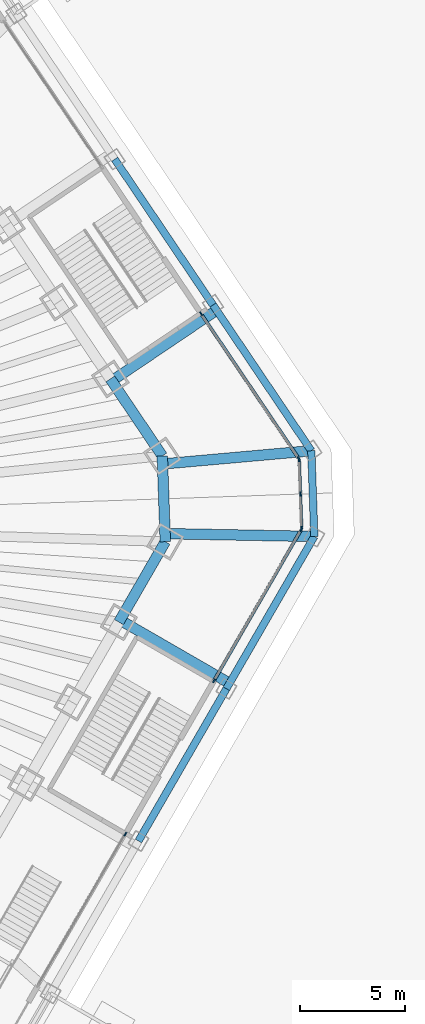
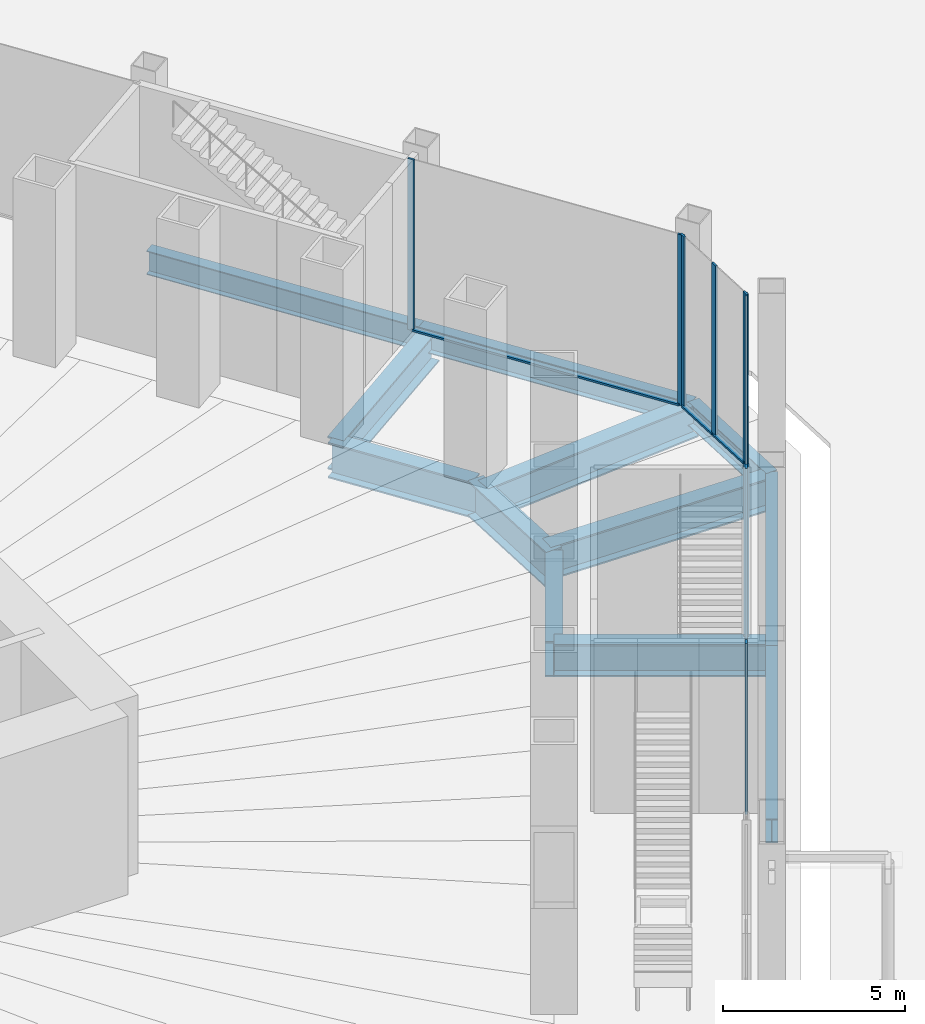
# One storey, part 21 of 45: 12 beams, 12 members, 4 elements without a shape of their own.
"""IFC4 building model written with IfcOpenShell, lengths in metres."""

from ifc_helpers import new_model, si_unit, direction, frame, origin, origin_2d, place, context, subcontext, project, spatial, rectangle, i_section, extrude, material, material_profile, profile_set, type_object, element, aggregate, save


model = new_model("IFC4")

# Units and contexts
model_context = context("Model", 3, precision=1e-05, world=origin(), true_north=direction((0.0, 1.0)))
body_context = subcontext(model_context, "Body", "Model", "MODEL_VIEW")
ifc_project = project(units=[si_unit("LENGTHUNIT", "METRE"), si_unit("AREAUNIT", "SQUARE_METRE"), si_unit("VOLUMEUNIT", "CUBIC_METRE"), si_unit("PLANEANGLEUNIT", "RADIAN"), si_unit("MASSUNIT", "GRAM", prefix="KILO")], contexts=[model_context])

# Site, building, storey
site_placement = place(None, origin())
site = spatial("IfcSite", under=ifc_project, at=site_placement, CompositionType="ELEMENT")
building_placement = place(site_placement, origin())
building = spatial("IfcBuilding", under=site, at=building_placement, Name="Qingtian Harvest Tower", CompositionType="ELEMENT")
storey_placement = place(building_placement, origin())
storey = spatial("IfcBuildingStorey", under=building, at=storey_placement, Name="L00", CompositionType="ELEMENT", Elevation=0.0)

# Beams
ifc_material_1 = material(Name="Steel SM570MC", Category="steel")
ifc_material_profile_1 = material_profile(ifc_material_1, i_section(OverallWidth=0.5, OverallDepth=1.10009765625, WebThickness=0.02490234375, FlangeThickness=0.050048828125, at=origin_2d()), Name="H1100x500x25x50")
ifc_profile_set_1 = profile_set([ifc_material_profile_1], Name="Steel SM570MC")
beam_type_1 = type_object("IfcBeamType", Name="Floor beam FB6 H1100x500x25x50", PredefinedType="BEAM", material=ifc_profile_set_1)
beam_1_placement = place(storey_placement, frame((33.05029296875, 10.0146484375, -0.800048828125), z_axis=(-0.829039666934, -0.559189798414, 0.0), x_axis=(0.559189798414, -0.829039666934, 0.0)))
element("IfcBeam", 1, at=beam_1_placement, inside=storey, type_object=beam_type_1, Name="Podium floor beam FB6 NE3", PredefinedType="BEAM", context=body_context, shape_type="SweptSolid", body=[
    extrude(i_section(OverallWidth=0.5, OverallDepth=1.10009765625, WebThickness=0.02490234375, FlangeThickness=0.050048828125, at=origin_2d()), origin(), (0.0, 0.0, 1.0), 6.000244140625),
])
for number, where, z_axis, x_axis, name in (
    (2, (37.547119140625, 3.34765625, -0.800048828125), (-0.996049850269, -0.088795809463, 0.0), (0.088795809463, -0.996049850269, 0.0), "Podium floor beam FB6 NE4"),
    (3, (37.689208984375, -0.720458984375, -0.800048828125), (-0.999817134486, 0.019123221203, 0.0), (-0.019123221203, -0.999817134486, 0.0), "Podium floor beam FB6 SE0"),
):
    element("IfcBeam", number, at=place(storey_placement, frame(where, z_axis=z_axis, x_axis=x_axis)), inside=storey, type_object=beam_type_1, Name=name, PredefinedType="BEAM", context=body_context, shape_type="SweptSolid", body=[
        extrude(i_section(OverallWidth=0.5, OverallDepth=1.10009765625, WebThickness=0.02490234375, FlangeThickness=0.050048828125, at=origin_2d()), origin(), (0.0, 0.0, 1.0), 7.08544921875),
    ])
beam_2_placement = place(storey_placement, frame((33.668212890625, -7.684814453125, -0.800048828125), z_axis=(-0.866020924479, 0.500007758305, 0.0), x_axis=(-0.500007758305, -0.866020924479, 0.0)))
element("IfcBeam", 4, at=beam_2_placement, inside=storey, type_object=beam_type_1, Name="Podium floor beam FB6 SE1", PredefinedType="BEAM", context=body_context, shape_type="SweptSolid", body=[
    extrude(i_section(OverallWidth=0.5, OverallDepth=1.10009765625, WebThickness=0.02490234375, FlangeThickness=0.050048828125, at=origin_2d()), origin(), (0.0, 0.0, 1.0), 6.0),
])

# Curtain wall, members
ifc_material_2 = material(Name="Bronze-anodised aluminium curtain wall", Category="aluminium")
curtain_wall_type = type_object("IfcCurtainWallType", Name="Curtain wall CW1 podium shopfront", PredefinedType="USERDEFINED", material=ifc_material_2)
curtain_wall_1_placement = place(storey_placement, origin())
curtain_wall_1 = element("IfcCurtainWall", 5, at=curtain_wall_1_placement, inside=storey, type_object=curtain_wall_type, Name="Curtain wall CW1 L00 NE3", ObjectType="RECESSED CURTAIN WALL", PredefinedType="USERDEFINED")
ifc_material_3 = material(Name="Bronze-anodised aluminium mullion", Category="aluminium")
ifc_material_profile_2 = material_profile(ifc_material_3, rectangle(XDim=0.06494140625, YDim=0.199951171875, at=origin_2d()), Name="AL 65x200")
ifc_profile_set_2 = profile_set([ifc_material_profile_2], Name="Bronze-anodised aluminium mullion")
member_type_1 = type_object("IfcMemberType", Name="Mullion CWM 65x200", PredefinedType="MULLION", material=ifc_profile_set_2)
member_1_placement = place(storey_placement, frame((32.3203125, 9.844970703125, 0.0), z_axis=(0.0, 0.0, 1.0), x_axis=(0.829037572555, 0.559192903471, 0.0)))
member_1 = element("IfcMember", 6, at=member_1_placement, type_object=member_type_1, Name="CW1 mullion 1", PredefinedType="MULLION", context=body_context, shape_type="SweptSolid", body=[
    extrude(rectangle(XDim=0.06494140625, YDim=0.199951171875, at=origin_2d()), origin(), (0.0, 0.0, 1.0), 5.75),
])
member_2_placement = place(storey_placement, frame((36.94873046875, 2.983154296875, 0.0), z_axis=(0.0, 0.0, 1.0), x_axis=(0.829037572555, 0.559192903471, 0.0)))
member_2 = element("IfcMember", 7, at=member_2_placement, type_object=member_type_1, Name="CW1 mullion 2", PredefinedType="MULLION", context=body_context, shape_type="SweptSolid", body=[
    extrude(rectangle(XDim=0.06494140625, YDim=0.199951171875, at=origin_2d()), origin(), (0.0, 0.0, 1.0), 5.75),
])

curtain_wall_2_placement = place(storey_placement, origin())
curtain_wall_2 = element("IfcCurtainWall", 8, at=curtain_wall_2_placement, inside=storey, type_object=curtain_wall_type, Name="Curtain wall CW1 L00 NEC", ObjectType="RECESSED CURTAIN WALL", PredefinedType="USERDEFINED")
member_3_placement = place(storey_placement, frame((36.968017578125, 2.923828125, 0.0), z_axis=(0.0, 0.0, 1.0), x_axis=(0.999390827019, 0.034899496703, 0.0)))
member_3 = element("IfcMember", 9, at=member_3_placement, type_object=member_type_1, Name="CW1 mullion 1", PredefinedType="MULLION", context=body_context, shape_type="SweptSolid", body=[
    extrude(rectangle(XDim=0.06494140625, YDim=0.199951171875, at=origin_2d()), origin(), (0.0, 0.0, 1.0), 5.75),
])
member_4_placement = place(storey_placement, frame((37.02490234375, 1.29296875, 0.0), z_axis=(0.0, 0.0, 1.0), x_axis=(0.999390827019, 0.034899496703, 0.0)))
member_4 = element("IfcMember", 10, at=member_4_placement, type_object=member_type_1, Name="CW1 mullion 2", PredefinedType="MULLION", context=body_context, shape_type="SweptSolid", body=[
    extrude(rectangle(XDim=0.06494140625, YDim=0.199951171875, at=origin_2d()), origin(), (0.0, 0.0, 1.0), 5.75),
])
member_5_placement = place(storey_placement, frame((37.081787109375, -0.337890625, 0.0), z_axis=(0.0, 0.0, 1.0), x_axis=(0.999390827019, 0.034899496703, 0.0)))
member_5 = element("IfcMember", 11, at=member_5_placement, type_object=member_type_1, Name="CW1 mullion 3", PredefinedType="MULLION", context=body_context, shape_type="SweptSolid", body=[
    extrude(rectangle(XDim=0.06494140625, YDim=0.199951171875, at=origin_2d()), origin(), (0.0, 0.0, 1.0), 5.75),
])

curtain_wall_3_placement = place(storey_placement, origin())
curtain_wall_3 = element("IfcCurtainWall", 12, at=curtain_wall_3_placement, inside=storey, type_object=curtain_wall_type, Name="Curtain wall CW1 L00 SE0", ObjectType="RECESSED CURTAIN WALL", PredefinedType="USERDEFINED")
member_6_placement = place(storey_placement, frame((37.066650390625, -0.398681640625, 0.0), z_axis=(0.0, 0.0, 1.0), x_axis=(0.866025403784, -0.5, 0.0)))
member_6 = element("IfcMember", 13, at=member_6_placement, type_object=member_type_1, Name="CW1 mullion 1", PredefinedType="MULLION", context=body_context, shape_type="SweptSolid", body=[
    extrude(rectangle(XDim=0.06494140625, YDim=0.199951171875, at=origin_2d()), origin(), (0.0, 0.0, 1.0), 5.75),
])
member_7_placement = place(storey_placement, frame((32.92822265625, -7.56640625, 0.0), z_axis=(0.0, 0.0, 1.0), x_axis=(0.866025403784, -0.5, 0.0)))
member_7 = element("IfcMember", 14, at=member_7_placement, type_object=member_type_1, Name="CW1 mullion 2", PredefinedType="MULLION", context=body_context, shape_type="SweptSolid", body=[
    extrude(rectangle(XDim=0.06494140625, YDim=0.199951171875, at=origin_2d()), origin(), (0.0, 0.0, 1.0), 5.75),
])

# Curtain wall, member
curtain_wall_4_placement = place(storey_placement, origin())
curtain_wall_4 = element("IfcCurtainWall", 15, at=curtain_wall_4_placement, inside=storey, type_object=curtain_wall_type, Name="Curtain wall CW1 L00 SE2", ObjectType="RECESSED CURTAIN WALL", PredefinedType="USERDEFINED")
member_8_placement = place(storey_placement, frame((28.724853515625, -14.846923828125, 0.0), z_axis=(0.0, 0.0, 1.0), x_axis=(0.866025403784, -0.5, 0.0)))
member_8 = element("IfcMember", 16, at=member_8_placement, type_object=member_type_1, Name="CW1 mullion 1", PredefinedType="MULLION", context=body_context, shape_type="SweptSolid", body=[
    extrude(rectangle(XDim=0.06494140625, YDim=0.199951171875, at=origin_2d()), origin(), (0.0, 0.0, 1.0), 5.75),
])
aggregate(curtain_wall_4, [member_8])

# Beams
ifc_material_4 = material(Name="Steel SN490B", Category="steel")
ifc_material_profile_3 = material_profile(ifc_material_4, i_section(OverallWidth=0.35009765625, OverallDepth=0.800048828125, WebThickness=0.01611328125, FlangeThickness=0.028076171875, at=origin_2d()), Name="H800x350x16x28")
ifc_profile_set_3 = profile_set([ifc_material_profile_3], Name="Steel SN490B")
beam_type_2 = type_object("IfcBeamType", Name="Podium beam PB1 H800x350x16x28", PredefinedType="BEAM", material=ifc_profile_set_3)
for number, where, z_axis, x_axis, name in (
    (17, (28.2177734375, 17.178955078125, -0.64990234375), (0.559210439086, -0.829025744363, 0.0), (0.829025744363, 0.559210439086, 0.0), "Podium edge beam PB1 NE2"),
    (18, (32.882568359375, 10.263427734375, -0.64990234375), (0.559176755628, -0.829048464183, 0.0), (0.829048464183, 0.559176755628, 0.0), "Podium edge beam PB1 NE3"),
):
    element("IfcBeam", number, at=place(storey_placement, frame(where, z_axis=z_axis, x_axis=x_axis)), inside=storey, type_object=beam_type_2, Name=name, PredefinedType="BEAM", context=body_context, shape_type="SweptSolid", body=[
        extrude(i_section(OverallWidth=0.35009765625, OverallDepth=0.800048828125, WebThickness=0.01611328125, FlangeThickness=0.028076171875, at=origin_2d()), origin(), (0.0, 0.0, 1.0), 8.341796875),
    ])
beam_3_placement = place(storey_placement, frame((37.547119140625, 3.34765625, -0.64990234375), z_axis=(0.03490639867, -0.999390585973, 0.0), x_axis=(0.999390585973, 0.03490639867, 0.0)))
element("IfcBeam", 19, at=beam_3_placement, inside=storey, type_object=beam_type_2, Name="Podium edge beam PB1 NE4", PredefinedType="BEAM", context=body_context, shape_type="SweptSolid", body=[
    extrude(i_section(OverallWidth=0.35009765625, OverallDepth=0.800048828125, WebThickness=0.01611328125, FlangeThickness=0.028076171875, at=origin_2d()), origin(), (0.0, 0.0, 1.0), 4.070556640625),
])
for number, where, z_axis, x_axis, name in (
    (20, (37.689208984375, -0.720458984375, -0.64990234375), (-0.500004511595, -0.866022798998, 0.0), (0.866022798998, -0.500004511595, 0.0), "Podium edge beam PB1 SE0"),
    (21, (33.518310546875, -7.944580078125, -0.64990234375), (-0.500004511595, -0.866022798998, 0.0), (0.866022798998, -0.500004511595, 0.0), "Podium edge beam PB1 SE1"),
):
    element("IfcBeam", number, at=place(storey_placement, frame(where, z_axis=z_axis, x_axis=x_axis)), inside=storey, type_object=beam_type_2, Name=name, PredefinedType="BEAM", context=body_context, shape_type="SweptSolid", body=[
        extrude(i_section(OverallWidth=0.35009765625, OverallDepth=0.800048828125, WebThickness=0.01611328125, FlangeThickness=0.028076171875, at=origin_2d()), origin(), (0.0, 0.0, 1.0), 8.341796875),
    ])
ifc_material_5 = material(Name="Steel SM570MC", Category="steel")
ifc_material_profile_4 = material_profile(ifc_material_5, i_section(OverallWidth=0.5, OverallDepth=1.199951171875, WebThickness=0.02490234375, FlangeThickness=0.050048828125, at=origin_2d()), Name="H1200x500x25x50")
ifc_profile_set_4 = profile_set([ifc_material_profile_4], Name="Steel SM570MC")
beam_type_3 = type_object("IfcBeamType", Name="Spandrel beam SB1 H1200x500x25x50", PredefinedType="SPANDREL", material=ifc_profile_set_4)
beam_4_placement = place(storey_placement, frame((28.013427734375, 6.75244140625, -0.85009765625), z_axis=(0.559169135272, -0.829053603912, 0.0), x_axis=(0.829053603912, 0.559169135272, 0.0)))
element("IfcBeam", 22, at=beam_4_placement, inside=storey, type_object=beam_type_3, Name="Spandrel SB1 NE5", PredefinedType="SPANDREL", context=body_context, shape_type="SweptSolid", body=[
    extrude(i_section(OverallWidth=0.5, OverallDepth=1.199951171875, WebThickness=0.02490234375, FlangeThickness=0.050048828125, at=origin_2d()), origin(), (0.0, 0.0, 1.0), 4.404541015625),
])
beam_5_placement = place(storey_placement, frame((30.476318359375, 3.100830078125, -0.85009765625), z_axis=(0.03490639867, -0.999390585973, 0.0), x_axis=(0.999390585973, 0.03490639867, 0.0)))
element("IfcBeam", 23, at=beam_5_placement, inside=storey, type_object=beam_type_3, Name="Spandrel SB1 NEC", PredefinedType="SPANDREL", context=body_context, shape_type="SweptSolid", body=[
    extrude(i_section(OverallWidth=0.5, OverallDepth=1.199951171875, WebThickness=0.02490234375, FlangeThickness=0.050048828125, at=origin_2d()), origin(), (0.0, 0.0, 1.0), 4.070556640625),
])
beam_6_placement = place(storey_placement, frame((30.618408203125, -0.96728515625, -0.85009765625), z_axis=(-0.50001992892, -0.866013897511, 0.0), x_axis=(0.866013897511, -0.50001992892, 0.0)))
element("IfcBeam", 24, at=beam_6_placement, inside=storey, type_object=beam_type_3, Name="Spandrel SB1 SE0", PredefinedType="SPANDREL", context=body_context, shape_type="SweptSolid", body=[
    extrude(i_section(OverallWidth=0.5, OverallDepth=1.199951171875, WebThickness=0.02490234375, FlangeThickness=0.050048828125, at=origin_2d()), origin(), (0.0, 0.0, 1.0), 4.404541015625),
])

# Member
ifc_material_6 = material(Name="Bronze-anodised aluminium transom", Category="aluminium")
ifc_material_profile_5 = material_profile(ifc_material_6, rectangle(XDim=0.14990234375, YDim=0.06494140625, at=origin_2d()), Name="AL 65x150")
ifc_profile_set_5 = profile_set([ifc_material_profile_5], Name="Bronze-anodised aluminium transom")
member_type_2 = type_object("IfcMemberType", Name="Transom CWT 65x150", PredefinedType="USERDEFINED", material=ifc_profile_set_5)
member_9_placement = place(storey_placement, frame((32.33837890625, 9.818115234375, 0.032470703125), z_axis=(0.559199646774, -0.8290330241, 0.0), x_axis=(0.8290330241, 0.559199646774, 0.0)))
member_9 = element("IfcMember", 25, at=member_9_placement, type_object=member_type_2, Name="CW1 transom 1.1", ObjectType="TRANSOM", PredefinedType="USERDEFINED", context=body_context, shape_type="SweptSolid", body=[
    extrude(rectangle(XDim=0.14990234375, YDim=0.06494140625, at=origin_2d()), origin(), (0.0, 0.0, 1.0), 8.2119140625),
])

aggregate(curtain_wall_1, [member_1, member_2, member_9])

member_10_placement = place(storey_placement, frame((36.968994140625, 2.891357421875, 0.032470703125), z_axis=(0.034902326647, -0.999390728191, 0.0), x_axis=(0.999390728191, 0.034902326647, 0.0)))
member_10 = element("IfcMember", 26, at=member_10_placement, type_object=member_type_2, Name="CW1 transom 1.1", ObjectType="TRANSOM", PredefinedType="USERDEFINED", context=body_context, shape_type="SweptSolid", body=[
    extrude(rectangle(XDim=0.14990234375, YDim=0.06494140625, at=origin_2d()), origin(), (0.0, 0.0, 1.0), 1.56689453125),
])

member_11_placement = place(storey_placement, frame((37.026123046875, 1.260498046875, 0.032470703125), z_axis=(0.034902326647, -0.999390728191, 0.0), x_axis=(0.999390728191, 0.034902326647, 0.0)))
member_11 = element("IfcMember", 27, at=member_11_placement, type_object=member_type_2, Name="CW1 transom 2.1", ObjectType="TRANSOM", PredefinedType="USERDEFINED", context=body_context, shape_type="SweptSolid", body=[
    extrude(rectangle(XDim=0.14990234375, YDim=0.06494140625, at=origin_2d()), origin(), (0.0, 0.0, 1.0), 1.56689453125),
])

aggregate(curtain_wall_2, [member_3, member_4, member_5, member_10, member_11])

member_12_placement = place(storey_placement, frame((37.050537109375, -0.4267578125, 0.032470703125), z_axis=(-0.500008116609, -0.866020717607, 0.0), x_axis=(0.866020717607, -0.500008116609, 0.0)))
member_12 = element("IfcMember", 28, at=member_12_placement, type_object=member_type_2, Name="CW1 transom 1.1", ObjectType="TRANSOM", PredefinedType="USERDEFINED", context=body_context, shape_type="SweptSolid", body=[
    extrude(rectangle(XDim=0.14990234375, YDim=0.06494140625, at=origin_2d()), origin(), (0.0, 0.0, 1.0), 8.211669921875),
])

aggregate(curtain_wall_3, [member_6, member_7, member_12])

save(model, "model.ifc")
